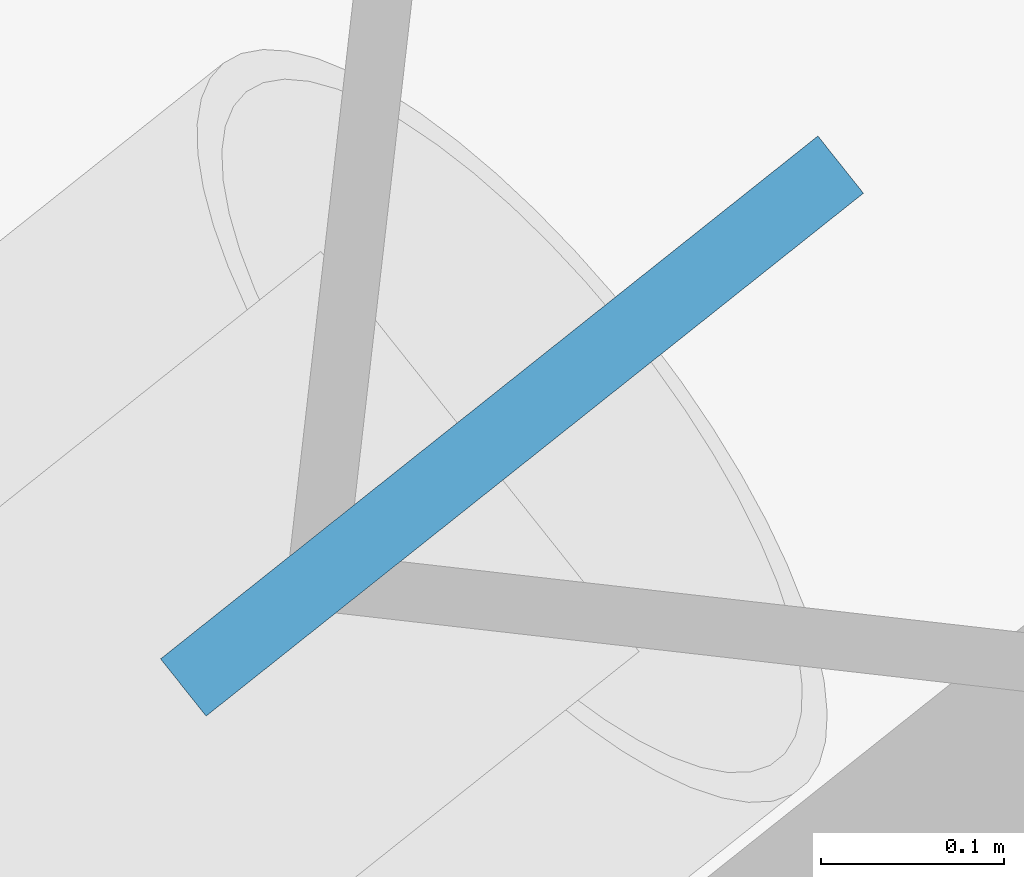
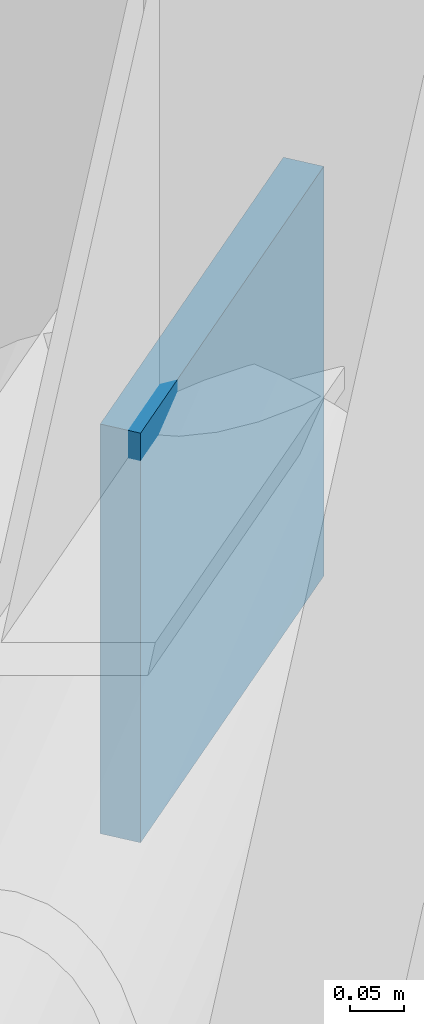
# One storey, part 18 of 21: 1 discrete accessory.
"""IFC4 building model written with IfcOpenShell, lengths in metres."""

from ifc_helpers import new_model, si_unit, direction, frame, origin, origin_2d, place, context, subcontext, project, spatial, rectangle, extrude, material, type_object, element, save


model = new_model("IFC4")

# Units and contexts
model_context = context("Model", 3, precision=1e-05, world=origin(), true_north=direction((0.0, 1.0)))
body_context = subcontext(model_context, "Body", "Model", "MODEL_VIEW")
ifc_project = project(units=[si_unit("LENGTHUNIT", "METRE"), si_unit("AREAUNIT", "SQUARE_METRE"), si_unit("VOLUMEUNIT", "CUBIC_METRE"), si_unit("PLANEANGLEUNIT", "RADIAN"), si_unit("MASSUNIT", "GRAM", prefix="KILO")], contexts=[model_context])

# Site, building, storey
site_placement = place(None, origin())
site = spatial("IfcSite", under=ifc_project, at=site_placement, CompositionType="ELEMENT")
building_placement = place(site_placement, origin())
building = spatial("IfcBuilding", under=site, at=building_placement, Name="Tavrogorsk Clinical Tower", CompositionType="ELEMENT")
storey_placement = place(building_placement, frame((0.0, 0.0, 133.39990234375)))
storey = spatial("IfcBuildingStorey", under=building, at=storey_placement, Name="L30", CompositionType="ELEMENT", Elevation=133.39990234375)

# Discrete accessory
ifc_material = material(Name="Structural steel S440", Category="steel")
discrete_accessory_type = type_object("IfcDiscreteAccessoryType", Name="GussetPlateBracket_25", PredefinedType="BRACKET", material=ifc_material)
discrete_accessory_placement = place(storey_placement, frame((-27.045654296875, 25.592041015625, 2.68505859375), z_axis=(0.0, 0.0, 1.0), x_axis=(0.782608156852, 0.622514636638, 0.0)))
element("IfcDiscreteAccessory", 1, at=discrete_accessory_placement, inside=storey, type_object=discrete_accessory_type, Name="L30 Brace Gusset Plate EXOCRN-L30-3-B", PredefinedType="BRACKET", context=body_context, shape_type="SweptSolid", body=[
    extrude(rectangle(XDim=0.4599609375, YDim=0.0400390625, at=origin_2d()), origin(), (0.0, 0.0, 1.0), 0.4599609375),
])

save(model, "model.ifc")
